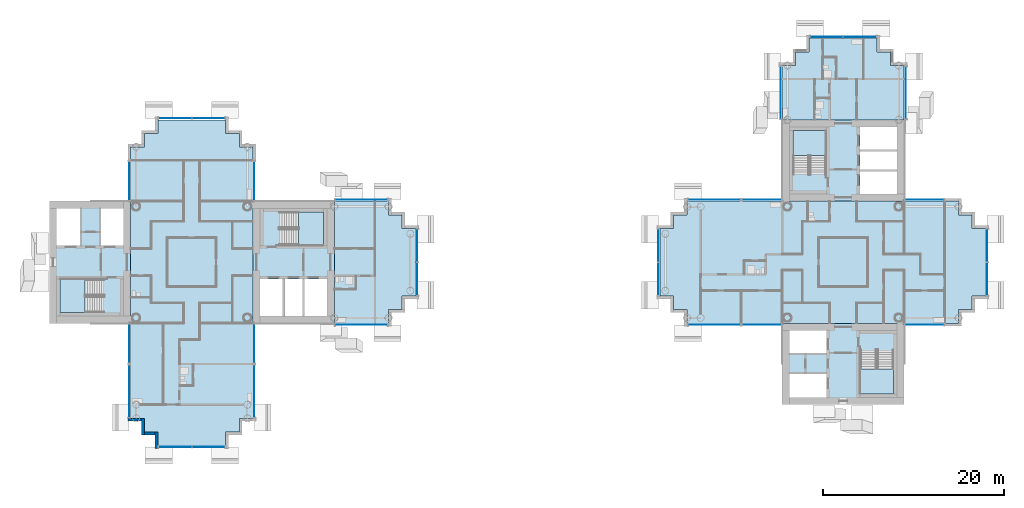
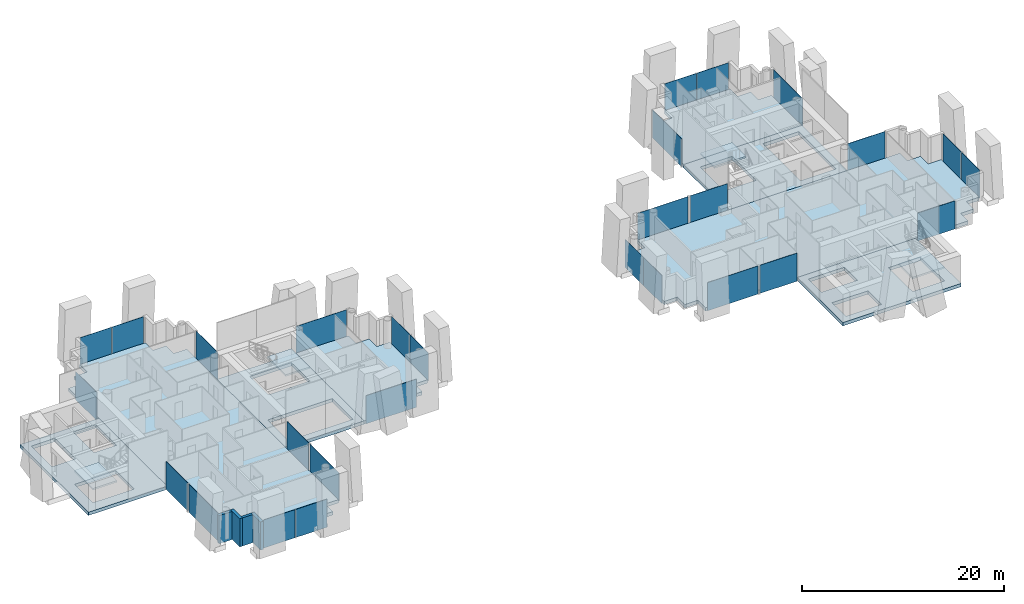
# One storey, part 5 of 18: 28 plates, 12 slabs, 4 walls, 26 elements without a shape of their own.
"""IFC4 building model written with IfcOpenShell, lengths in metres."""

from ifc_helpers import new_model, si_unit, direction, frame, frame_2d, origin, origin_2d, place, context, subcontext, project, spatial, polyline, rectangle, outline, extrude, material, layer, layer_set, type_object, element, aggregate, save


model = new_model("IFC4")

# Units and contexts
model_context = context("Model", 3, precision=1e-05, world=origin(), true_north=direction((0.0, 1.0)))
body_context = subcontext(model_context, "Body", "Model", "MODEL_VIEW")
ifc_project = project(units=[si_unit("LENGTHUNIT", "METRE"), si_unit("AREAUNIT", "SQUARE_METRE"), si_unit("VOLUMEUNIT", "CUBIC_METRE"), si_unit("PLANEANGLEUNIT", "RADIAN"), si_unit("MASSUNIT", "GRAM", prefix="KILO")], contexts=[model_context])

# Site, building, storey
site_placement = place(None, origin())
site = spatial("IfcSite", under=ifc_project, at=site_placement, CompositionType="ELEMENT")
building_placement = place(site_placement, origin())
building = spatial("IfcBuilding", under=site, at=building_placement, Name="Ipe Terrace Towers", CompositionType="ELEMENT")
storey_placement = place(building_placement, frame((0.0, 0.0, 143.89990234375)))
storey = spatial("IfcBuildingStorey", under=building, at=storey_placement, Name="L39", CompositionType="ELEMENT", Elevation=143.89990234375)

# Slabs
ifc_material_1 = material(Name="Concrete C30/37", Category="concrete")
ifc_layer_1 = layer(ifc_material_1, 0.39990234375)
ifc_layer_set_1 = layer_set([ifc_layer_1], Name="CORE FLOOR SLAB 400 C30-37")
slab_type_1 = type_object("IfcSlabType", Name="CORE FLOOR SLAB 400 C30-37", PredefinedType="FLOOR", material=ifc_layer_set_1)
slab_1_placement = place(storey_placement, frame((0.0, 0.0, -0.39990234375)))
element("IfcSlab", 1, at=slab_1_placement, inside=storey, type_object=slab_type_1, Name="Core floor T1-C1", PredefinedType="FLOOR", context=body_context, shape_type="SweptSolid", body=[
    extrude(outline(polyline([(-29.25, -6.75), (-29.25, 6.75), (-20.25, 6.75), (-20.25, -6.75), (-29.25, -6.75)]), holes=[polyline([(-28.449951171875, -5.949951171875), (-21.050048828125, -5.949951171875), (-21.050048828125, -1.85009765625), (-28.449951171875, -1.85009765625), (-28.449951171875, -5.949951171875)]), polyline([(-26.199951171875, 5.550048828125), (-26.199951171875, 1.89990234375), (-21.449951171875, 1.89990234375), (-21.449951171875, 5.550048828125), (-26.199951171875, 5.550048828125)])]), origin(), (0.0, 0.0, 1.0), 0.39990234375),
])
slab_2_placement = place(storey_placement, frame((0.0, 0.0, -0.39990234375)))
element("IfcSlab", 2, at=slab_2_placement, inside=storey, type_object=slab_type_1, Name="Core floor T1-C2", PredefinedType="FLOOR", context=body_context, shape_type="SweptSolid", body=[
    extrude(outline(polyline([(-51.75, -6.75), (-51.75, 6.75), (-42.75, 6.75), (-42.75, -6.75), (-51.75, -6.75)]), holes=[polyline([(-45.800048828125, -1.89990234375), (-50.550048828125, -1.89990234375), (-50.550048828125, -5.550048828125), (-45.800048828125, -5.550048828125), (-45.800048828125, -1.89990234375)]), polyline([(-48.25, 1.85009765625), (-48.25, 5.949951171875), (-50.949951171875, 5.949951171875), (-50.949951171875, 1.85009765625), (-48.25, 1.85009765625)]), polyline([(-43.550048828125, 1.85009765625), (-43.550048828125, 5.949951171875), (-46.14990234375, 5.949951171875), (-46.14990234375, 1.85009765625), (-43.550048828125, 1.85009765625)])]), origin(), (0.0, 0.0, 1.0), 0.39990234375),
])
slab_3_placement = place(storey_placement, frame((0.0, 0.0, -0.39990234375)))
element("IfcSlab", 3, at=slab_3_placement, inside=storey, type_object=slab_type_1, Name="Core floor T2-C1", PredefinedType="FLOOR", context=body_context, shape_type="SweptSolid", body=[
    extrude(outline(polyline([(29.25, 6.75), (29.25, 15.75), (42.75, 15.75), (42.75, 6.75), (29.25, 6.75)]), holes=[polyline([(41.949951171875, 7.550048828125), (41.949951171875, 14.949951171875), (37.85009765625, 14.949951171875), (37.85009765625, 7.550048828125), (41.949951171875, 7.550048828125)]), polyline([(30.449951171875, 9.800048828125), (34.10009765625, 9.800048828125), (34.10009765625, 14.550048828125), (30.449951171875, 14.550048828125), (30.449951171875, 9.800048828125)])]), origin(), (0.0, 0.0, 1.0), 0.39990234375),
])
slab_4_placement = place(storey_placement, frame((0.0, 0.0, -0.39990234375)))
element("IfcSlab", 4, at=slab_4_placement, inside=storey, type_object=slab_type_1, Name="Core floor T2-C2", PredefinedType="FLOOR", context=body_context, shape_type="SweptSolid", body=[
    extrude(outline(polyline([(29.25, -15.75), (29.25, -6.75), (42.75, -6.75), (42.75, -15.75), (29.25, -15.75)]), holes=[polyline([(30.050048828125, -12.25), (30.050048828125, -14.949951171875), (34.14990234375, -14.949951171875), (34.14990234375, -12.25), (30.050048828125, -12.25)]), polyline([(41.550048828125, -9.800048828125), (37.89990234375, -9.800048828125), (37.89990234375, -14.550048828125), (41.550048828125, -14.550048828125), (41.550048828125, -9.800048828125)]), polyline([(34.14990234375, -7.550048828125), (30.050048828125, -7.550048828125), (30.050048828125, -10.14990234375), (34.14990234375, -10.14990234375), (34.14990234375, -7.550048828125)])]), origin(), (0.0, 0.0, 1.0), 0.39990234375),
])

# Stair, slab
ifc_material_2 = material(Name="Concrete C30/37", Category="concrete")
stair_type = type_object("IfcStairType", Name="Protected exit stair", PredefinedType="HALF_TURN_STAIR", material=ifc_material_2)
stair_1_placement = place(storey_placement, origin())
stair_1 = element("IfcStair", 5, at=stair_1_placement, inside=storey, type_object=stair_type, Name="L39 Exit stair T1-C1", PredefinedType="HALF_TURN_STAIR")
ifc_material_3 = material(Name="Concrete C30/37", Category="concrete")
ifc_layer_2 = layer(ifc_material_3, 0.199951171875)
ifc_layer_set_2 = layer_set([ifc_layer_2], Name="Exit stair landing 200")
slab_type_2 = type_object("IfcSlabType", Name="Exit stair landing 200", PredefinedType="LANDING", material=ifc_layer_set_2)
slab_5_placement = place(storey_placement, frame((0.0, 0.0, 1.5)))
slab_5 = element("IfcSlab", 6, at=slab_5_placement, type_object=slab_type_2, Name="T1-ST1 landing 1", PredefinedType="LANDING", context=body_context, shape_type="SweptSolid", body=[
    extrude(outline(polyline([(-24.219970703125, 1.89990234375), (-21.449951171875, 1.89990234375), (-21.449951171875, 5.550048828125), (-24.219970703125, 5.550048828125), (-24.219970703125, 1.89990234375)])), origin(), (0.0, 0.0, 1.0), 0.2001953125),
])
aggregate(stair_1, [slab_5])

stair_2_placement = place(storey_placement, origin())
stair_2 = element("IfcStair", 7, at=stair_2_placement, inside=storey, type_object=stair_type, Name="L39 Exit stair T1-C2", PredefinedType="HALF_TURN_STAIR")
slab_6_placement = place(storey_placement, frame((0.0, 0.0, 1.5)))
slab_6 = element("IfcSlab", 8, at=slab_6_placement, type_object=slab_type_2, Name="T1-ST2 landing 1", PredefinedType="LANDING", context=body_context, shape_type="SweptSolid", body=[
    extrude(outline(polyline([(-47.780029296875, -1.89990234375), (-50.550048828125, -1.89990234375), (-50.550048828125, -5.550048828125), (-47.780029296875, -5.550048828125), (-47.780029296875, -1.89990234375)])), origin(), (0.0, 0.0, 1.0), 0.2001953125),
])
aggregate(stair_2, [slab_6])

stair_3_placement = place(storey_placement, origin())
stair_3 = element("IfcStair", 9, at=stair_3_placement, inside=storey, type_object=stair_type, Name="L39 Exit stair T2-C1", PredefinedType="HALF_TURN_STAIR")
slab_7_placement = place(storey_placement, frame((0.0, 0.0, 1.5)))
slab_7 = element("IfcSlab", 10, at=slab_7_placement, type_object=slab_type_2, Name="T2-ST1 landing 1", PredefinedType="LANDING", context=body_context, shape_type="SweptSolid", body=[
    extrude(outline(polyline([(34.10009765625, 11.780029296875), (34.10009765625, 14.550048828125), (30.449951171875, 14.550048828125), (30.449951171875, 11.780029296875), (34.10009765625, 11.780029296875)])), origin(), (0.0, 0.0, 1.0), 0.2001953125),
])
aggregate(stair_3, [slab_7])

stair_4_placement = place(storey_placement, origin())
stair_4 = element("IfcStair", 11, at=stair_4_placement, inside=storey, type_object=stair_type, Name="L39 Exit stair T2-C2", PredefinedType="HALF_TURN_STAIR")
slab_8_placement = place(storey_placement, frame((0.0, 0.0, 1.5)))
slab_8 = element("IfcSlab", 12, at=slab_8_placement, type_object=slab_type_2, Name="T2-ST2 landing 1", PredefinedType="LANDING", context=body_context, shape_type="SweptSolid", body=[
    extrude(outline(polyline([(37.89990234375, -11.780029296875), (37.89990234375, -14.550048828125), (41.550048828125, -14.550048828125), (41.550048828125, -11.780029296875), (37.89990234375, -11.780029296875)])), origin(), (0.0, 0.0, 1.0), 0.2001953125),
])
aggregate(stair_4, [slab_8])

# Slabs
ifc_material_4 = material(Name="Concrete C40/50", Category="concrete")
ifc_layer_3 = layer(ifc_material_4, 0.39990234375)
ifc_layer_set_3 = layer_set([ifc_layer_3], Name="FLAT PLATE SLAB 400 C40-50")
slab_type_3 = type_object("IfcSlabType", Name="FLAT PLATE SLAB 400 C40-50", PredefinedType="FLOOR", material=ifc_layer_set_3)
slab_9_placement = place(storey_placement, frame((0.0, 0.0, -0.39990234375)))
element("IfcSlab", 13, at=slab_9_placement, inside=storey, type_object=slab_type_3, Name="Slab T1-FS-Z31", PredefinedType="FLOOR", context=body_context, shape_type="SweptSolid", body=[
    extrude(outline(polyline([(-30.75, -17.25), (-30.75, -18.75), (-32.25, -18.75), (-32.25, -20.25), (-39.75, -20.25), (-39.75, -18.75), (-41.25, -18.75), (-41.25, -17.25), (-42.75, -17.25), (-42.75, -6.75), (-42.75, 6.75), (-42.75, 12.75), (-41.25, 12.75), (-41.25, 14.25), (-39.75, 14.25), (-39.75, 15.75), (-32.25, 15.75), (-32.25, 14.25), (-30.75, 14.25), (-30.75, 12.75), (-29.25, 12.75), (-29.25, 6.75), (-29.25, -6.75), (-29.25, -17.25), (-30.75, -17.25)])), origin(), (0.0, 0.0, 1.0), 0.39990234375),
])
slab_10_placement = place(storey_placement, frame((0.0, 0.0, -0.39990234375)))
element("IfcSlab", 14, at=slab_10_placement, inside=storey, type_object=slab_type_3, Name="Slab T1-FS-Z32", PredefinedType="FLOOR", context=body_context, shape_type="SweptSolid", body=[
    extrude(outline(polyline([(-14.25, 5.25), (-12.75, 5.25), (-12.75, 3.75), (-11.25, 3.75), (-11.25, -3.75), (-12.75, -3.75), (-12.75, -5.25), (-14.25, -5.25), (-14.25, -6.75), (-20.25, -6.75), (-20.25, 6.75), (-14.25, 6.75), (-14.25, 5.25)])), origin(), (0.0, 0.0, 1.0), 0.39990234375),
])
slab_11_placement = place(storey_placement, frame((0.0, 0.0, -0.39990234375)))
element("IfcSlab", 15, at=slab_11_placement, inside=storey, type_object=slab_type_3, Name="Slab T2-FS-Z31", PredefinedType="FLOOR", context=body_context, shape_type="SweptSolid", body=[
    extrude(outline(polyline([(48.75, 5.25), (50.25, 5.25), (50.25, 3.75), (51.75, 3.75), (51.75, -3.75), (50.25, -3.75), (50.25, -5.25), (48.75, -5.25), (48.75, -6.75), (42.75, -6.75), (29.25, -6.75), (18.75, -6.75), (18.75, -5.25), (17.25, -5.25), (17.25, -3.75), (15.75, -3.75), (15.75, 3.75), (17.25, 3.75), (17.25, 5.25), (18.75, 5.25), (18.75, 6.75), (29.25, 6.75), (42.75, 6.75), (48.75, 6.75), (48.75, 5.25)])), origin(), (0.0, 0.0, 1.0), 0.39990234375),
])
slab_12_placement = place(storey_placement, frame((0.0, 0.0, -0.39990234375)))
element("IfcSlab", 16, at=slab_12_placement, inside=storey, type_object=slab_type_3, Name="Slab T2-FS-Z32", PredefinedType="FLOOR", context=body_context, shape_type="SweptSolid", body=[
    extrude(outline(polyline([(30.75, 21.75), (30.75, 23.25), (32.25, 23.25), (32.25, 24.75), (39.75, 24.75), (39.75, 23.25), (41.25, 23.25), (41.25, 21.75), (42.75, 21.75), (42.75, 15.75), (29.25, 15.75), (29.25, 21.75), (30.75, 21.75)])), origin(), (0.0, 0.0, 1.0), 0.39990234375),
])

# Curtain wall, plate
ifc_material_5 = material(Name="Aluminium alloy 6063-T6", Category="aluminium")
ifc_layer_4 = layer(ifc_material_5, 0.320068359375)
ifc_layer_set_4 = layer_set([ifc_layer_4], Name="TOWER UNITISED CURTAIN WALL")
curtain_wall_type = type_object("IfcCurtainWallType", Name="TOWER UNITISED CURTAIN WALL", PredefinedType="NOTDEFINED", material=ifc_layer_set_4)
curtain_wall_1_placement = place(storey_placement, origin())
curtain_wall_1 = element("IfcCurtainWall", 17, at=curtain_wall_1_placement, inside=storey, type_object=curtain_wall_type, Name="T1-CW-L39-02a curtain wall", PredefinedType="NOTDEFINED")
ifc_material_6 = material(Name="Glass, clear laminated", Category="glass")
ifc_layer_5 = layer(ifc_material_6, 0.031982421875)
ifc_layer_set_5 = layer_set([ifc_layer_5], Name="TOWER UNITISED GLASS PANEL 32")
plate_type = type_object("IfcPlateType", Name="TOWER UNITISED GLASS PANEL 32", PredefinedType="CURTAIN_PANEL", material=ifc_layer_set_5)
plate_1_placement = place(storey_placement, frame((-42.909912109375, -9.0, -0.2998046875), z_axis=(0.0, 0.0, 1.0), x_axis=(0.0, -1.0, 0.0)))
plate_1 = element("IfcPlate", 18, at=plate_1_placement, type_object=plate_type, Name="T1-CW-L39-02a panel 1", PredefinedType="CURTAIN_PANEL", context=body_context, shape_type="SweptSolid", body=[
    extrude(rectangle(XDim=4.260009765625, YDim=0.031982421875, at=origin_2d()), origin(), (0.0, 0.0, 1.0), 3.39990234375),
])
aggregate(curtain_wall_1, [plate_1])

curtain_wall_2_placement = place(storey_placement, origin())
curtain_wall_2 = element("IfcCurtainWall", 19, at=curtain_wall_2_placement, inside=storey, type_object=curtain_wall_type, Name="T1-CW-L39-03a curtain wall", PredefinedType="NOTDEFINED")
plate_2_placement = place(storey_placement, frame((-42.909912109375, -14.25, -0.2998046875), z_axis=(0.0, 0.0, 1.0), x_axis=(0.0, -1.0, 0.0)))
plate_2 = element("IfcPlate", 20, at=plate_2_placement, type_object=plate_type, Name="T1-CW-L39-03a panel 1", PredefinedType="CURTAIN_PANEL", context=body_context, shape_type="SweptSolid", body=[
    extrude(rectangle(XDim=5.760009765625, YDim=0.031982421875, at=origin_2d()), origin(), (0.0, 0.0, 1.0), 3.39990234375),
])
aggregate(curtain_wall_2, [plate_2])

# Curtain wall, plates
curtain_wall_3_placement = place(storey_placement, origin())
curtain_wall_3 = element("IfcCurtainWall", 21, at=curtain_wall_3_placement, inside=storey, type_object=curtain_wall_type, Name="T1-CW-L39-08a curtain wall", PredefinedType="NOTDEFINED")
plate_3_placement = place(storey_placement, frame((-37.831298828125, -20.409912109375, -0.2998046875), z_axis=(0.0, 0.0, 1.0), x_axis=(1.0, 0.0, 0.0)))
plate_3 = element("IfcPlate", 22, at=plate_3_placement, type_object=plate_type, Name="T1-CW-L39-08a panel 1", PredefinedType="CURTAIN_PANEL", context=body_context, shape_type="SweptSolid", body=[
    extrude(rectangle(XDim=3.597412109375, YDim=0.031982421875, at=origin_2d()), origin(), (0.0, 0.0, 1.0), 3.39990234375),
])
plate_4_placement = place(storey_placement, frame((-34.168701171875, -20.409912109375, -0.2998046875), z_axis=(0.0, 0.0, 1.0), x_axis=(1.0, 0.0, 0.0)))
plate_4 = element("IfcPlate", 23, at=plate_4_placement, type_object=plate_type, Name="T1-CW-L39-08a panel 2", PredefinedType="CURTAIN_PANEL", context=body_context, shape_type="SweptSolid", body=[
    extrude(rectangle(XDim=3.597412109375, YDim=0.031982421875, at=origin_2d()), origin(), (0.0, 0.0, 1.0), 3.39990234375),
])
aggregate(curtain_wall_3, [plate_3, plate_4])

# Curtain wall, plate
curtain_wall_4_placement = place(storey_placement, origin())
curtain_wall_4 = element("IfcCurtainWall", 24, at=curtain_wall_4_placement, inside=storey, type_object=curtain_wall_type, Name="T1-CW-L39-13a curtain wall", PredefinedType="NOTDEFINED")
plate_5_placement = place(storey_placement, frame((-29.090087890625, -14.25, -0.2998046875), z_axis=(0.0, 0.0, 1.0), x_axis=(0.0, 1.0, 0.0)))
plate_5 = element("IfcPlate", 25, at=plate_5_placement, type_object=plate_type, Name="T1-CW-L39-13a panel 1", PredefinedType="CURTAIN_PANEL", context=body_context, shape_type="SweptSolid", body=[
    extrude(rectangle(XDim=5.760009765625, YDim=0.031982421875, at=origin_2d()), origin(), (0.0, 0.0, 1.0), 3.39990234375),
])
aggregate(curtain_wall_4, [plate_5])

curtain_wall_5_placement = place(storey_placement, origin())
curtain_wall_5 = element("IfcCurtainWall", 26, at=curtain_wall_5_placement, inside=storey, type_object=curtain_wall_type, Name="T1-CW-L39-14a curtain wall", PredefinedType="NOTDEFINED")
plate_6_placement = place(storey_placement, frame((-29.090087890625, -9.0, -0.2998046875), z_axis=(0.0, 0.0, 1.0), x_axis=(0.0, 1.0, 0.0)))
plate_6 = element("IfcPlate", 27, at=plate_6_placement, type_object=plate_type, Name="T1-CW-L39-14a panel 1", PredefinedType="CURTAIN_PANEL", context=body_context, shape_type="SweptSolid", body=[
    extrude(rectangle(XDim=4.260009765625, YDim=0.031982421875, at=origin_2d()), origin(), (0.0, 0.0, 1.0), 3.39990234375),
])
aggregate(curtain_wall_5, [plate_6])

curtain_wall_6_placement = place(storey_placement, origin())
curtain_wall_6 = element("IfcCurtainWall", 28, at=curtain_wall_6_placement, inside=storey, type_object=curtain_wall_type, Name="T1-CW-L39-16b curtain wall", PredefinedType="NOTDEFINED")
plate_7_placement = place(storey_placement, frame((-17.24951171875, -6.909912109375, -0.2998046875), z_axis=(0.0, 0.0, 1.0), x_axis=(1.0, 0.0, 0.0)))
plate_7 = element("IfcPlate", 29, at=plate_7_placement, type_object=plate_type, Name="T1-CW-L39-16b panel 1", PredefinedType="CURTAIN_PANEL", context=body_context, shape_type="SweptSolid", body=[
    extrude(rectangle(XDim=5.759033203125, YDim=0.031982421875, at=origin_2d()), origin(), (0.0, 0.0, 1.0), 3.39990234375),
])
aggregate(curtain_wall_6, [plate_7])

# Curtain wall, plates
curtain_wall_7_placement = place(storey_placement, origin())
curtain_wall_7 = element("IfcCurtainWall", 30, at=curtain_wall_7_placement, inside=storey, type_object=curtain_wall_type, Name="T1-CW-L39-21a curtain wall", PredefinedType="NOTDEFINED")
plate_8_placement = place(storey_placement, frame((-11.090087890625, -1.831298828125, -0.2998046875), z_axis=(0.0, 0.0, 1.0), x_axis=(0.0, 1.0, 0.0)))
plate_8 = element("IfcPlate", 31, at=plate_8_placement, type_object=plate_type, Name="T1-CW-L39-21a panel 1", PredefinedType="CURTAIN_PANEL", context=body_context, shape_type="SweptSolid", body=[
    extrude(rectangle(XDim=3.597412109375, YDim=0.031982421875, at=origin_2d()), origin(), (0.0, 0.0, 1.0), 3.39990234375),
])
plate_9_placement = place(storey_placement, frame((-11.090087890625, 1.831298828125, -0.2998046875), z_axis=(0.0, 0.0, 1.0), x_axis=(0.0, 1.0, 0.0)))
plate_9 = element("IfcPlate", 32, at=plate_9_placement, type_object=plate_type, Name="T1-CW-L39-21a panel 2", PredefinedType="CURTAIN_PANEL", context=body_context, shape_type="SweptSolid", body=[
    extrude(rectangle(XDim=3.597412109375, YDim=0.031982421875, at=origin_2d()), origin(), (0.0, 0.0, 1.0), 3.39990234375),
])
aggregate(curtain_wall_7, [plate_8, plate_9])

# Curtain wall, plate
curtain_wall_8_placement = place(storey_placement, origin())
curtain_wall_8 = element("IfcCurtainWall", 33, at=curtain_wall_8_placement, inside=storey, type_object=curtain_wall_type, Name="T1-CW-L39-26a curtain wall", PredefinedType="NOTDEFINED")
plate_10_placement = place(storey_placement, frame((-17.24951171875, 6.909912109375, -0.2998046875), z_axis=(0.0, 0.0, 1.0), x_axis=(-1.0, 0.0, 0.0)))
plate_10 = element("IfcPlate", 34, at=plate_10_placement, type_object=plate_type, Name="T1-CW-L39-26a panel 1", PredefinedType="CURTAIN_PANEL", context=body_context, shape_type="SweptSolid", body=[
    extrude(rectangle(XDim=5.759033203125, YDim=0.031982421875, at=origin_2d()), origin(), (0.0, 0.0, 1.0), 3.39990234375),
])
aggregate(curtain_wall_8, [plate_10])

curtain_wall_9_placement = place(storey_placement, origin())
curtain_wall_9 = element("IfcCurtainWall", 35, at=curtain_wall_9_placement, inside=storey, type_object=curtain_wall_type, Name="T1-CW-L39-28a curtain wall", PredefinedType="NOTDEFINED")
plate_11_placement = place(storey_placement, frame((-29.090087890625, 9.0, -0.2998046875), z_axis=(0.0, 0.0, 1.0), x_axis=(0.0, 1.0, 0.0)))
plate_11 = element("IfcPlate", 36, at=plate_11_placement, type_object=plate_type, Name="T1-CW-L39-28a panel 1", PredefinedType="CURTAIN_PANEL", context=body_context, shape_type="SweptSolid", body=[
    extrude(rectangle(XDim=4.260009765625, YDim=0.031982421875, at=origin_2d()), origin(), (0.0, 0.0, 1.0), 3.39990234375),
])
aggregate(curtain_wall_9, [plate_11])

# Curtain wall, plates
curtain_wall_10_placement = place(storey_placement, origin())
curtain_wall_10 = element("IfcCurtainWall", 37, at=curtain_wall_10_placement, inside=storey, type_object=curtain_wall_type, Name="T1-CW-L39-34a curtain wall", PredefinedType="NOTDEFINED")
plate_12_placement = place(storey_placement, frame((-34.168701171875, 15.909912109375, -0.2998046875), z_axis=(0.0, 0.0, 1.0), x_axis=(-1.0, 0.0, 0.0)))
plate_12 = element("IfcPlate", 38, at=plate_12_placement, type_object=plate_type, Name="T1-CW-L39-34a panel 1", PredefinedType="CURTAIN_PANEL", context=body_context, shape_type="SweptSolid", body=[
    extrude(rectangle(XDim=3.597412109375, YDim=0.031982421875, at=origin_2d()), origin(), (0.0, 0.0, 1.0), 3.39990234375),
])
plate_13_placement = place(storey_placement, frame((-37.831298828125, 15.909912109375, -0.2998046875), z_axis=(0.0, 0.0, 1.0), x_axis=(-1.0, 0.0, 0.0)))
plate_13 = element("IfcPlate", 39, at=plate_13_placement, type_object=plate_type, Name="T1-CW-L39-34a panel 2", PredefinedType="CURTAIN_PANEL", context=body_context, shape_type="SweptSolid", body=[
    extrude(rectangle(XDim=3.597412109375, YDim=0.031982421875, at=origin_2d()), origin(), (0.0, 0.0, 1.0), 3.39990234375),
])
aggregate(curtain_wall_10, [plate_12, plate_13])

# Curtain wall, plate
curtain_wall_11_placement = place(storey_placement, origin())
curtain_wall_11 = element("IfcCurtainWall", 40, at=curtain_wall_11_placement, inside=storey, type_object=curtain_wall_type, Name="T1-CW-L39-40a curtain wall", PredefinedType="NOTDEFINED")
plate_14_placement = place(storey_placement, frame((-42.909912109375, 9.0, -0.2998046875), z_axis=(0.0, 0.0, 1.0), x_axis=(0.0, -1.0, 0.0)))
plate_14 = element("IfcPlate", 41, at=plate_14_placement, type_object=plate_type, Name="T1-CW-L39-40a panel 1", PredefinedType="CURTAIN_PANEL", context=body_context, shape_type="SweptSolid", body=[
    extrude(rectangle(XDim=4.260009765625, YDim=0.031982421875, at=origin_2d()), origin(), (0.0, 0.0, 1.0), 3.39990234375),
])
aggregate(curtain_wall_11, [plate_14])

curtain_wall_12_placement = place(storey_placement, origin())
curtain_wall_12 = element("IfcCurtainWall", 42, at=curtain_wall_12_placement, inside=storey, type_object=curtain_wall_type, Name="T2-CW-L39-02a curtain wall", PredefinedType="NOTDEFINED")
plate_15_placement = place(storey_placement, frame((45.0, -6.909912109375, -0.2998046875), z_axis=(0.0, 0.0, 1.0), x_axis=(1.0, 0.0, 0.0)))
plate_15 = element("IfcPlate", 43, at=plate_15_placement, type_object=plate_type, Name="T2-CW-L39-02a panel 1", PredefinedType="CURTAIN_PANEL", context=body_context, shape_type="SweptSolid", body=[
    extrude(rectangle(XDim=4.260009765625, YDim=0.031982421875, at=origin_2d()), origin(), (0.0, 0.0, 1.0), 3.39990234375),
])
aggregate(curtain_wall_12, [plate_15])

# Curtain wall, plates
curtain_wall_13_placement = place(storey_placement, origin())
curtain_wall_13 = element("IfcCurtainWall", 44, at=curtain_wall_13_placement, inside=storey, type_object=curtain_wall_type, Name="T2-CW-L39-08a curtain wall", PredefinedType="NOTDEFINED")
plate_16_placement = place(storey_placement, frame((51.909912109375, -1.831298828125, -0.2998046875), z_axis=(0.0, 0.0, 1.0), x_axis=(0.0, 1.0, 0.0)))
plate_16 = element("IfcPlate", 45, at=plate_16_placement, type_object=plate_type, Name="T2-CW-L39-08a panel 1", PredefinedType="CURTAIN_PANEL", context=body_context, shape_type="SweptSolid", body=[
    extrude(rectangle(XDim=3.597412109375, YDim=0.031982421875, at=origin_2d()), origin(), (0.0, 0.0, 1.0), 3.39990234375),
])
plate_17_placement = place(storey_placement, frame((51.909912109375, 1.831298828125, -0.2998046875), z_axis=(0.0, 0.0, 1.0), x_axis=(0.0, 1.0, 0.0)))
plate_17 = element("IfcPlate", 46, at=plate_17_placement, type_object=plate_type, Name="T2-CW-L39-08a panel 2", PredefinedType="CURTAIN_PANEL", context=body_context, shape_type="SweptSolid", body=[
    extrude(rectangle(XDim=3.597412109375, YDim=0.031982421875, at=origin_2d()), origin(), (0.0, 0.0, 1.0), 3.39990234375),
])
aggregate(curtain_wall_13, [plate_16, plate_17])

# Curtain wall, plate
curtain_wall_14_placement = place(storey_placement, origin())
curtain_wall_14 = element("IfcCurtainWall", 47, at=curtain_wall_14_placement, inside=storey, type_object=curtain_wall_type, Name="T2-CW-L39-14a curtain wall", PredefinedType="NOTDEFINED")
plate_18_placement = place(storey_placement, frame((45.0, 6.909912109375, -0.2998046875), z_axis=(0.0, 0.0, 1.0), x_axis=(-1.0, 0.0, 0.0)))
plate_18 = element("IfcPlate", 48, at=plate_18_placement, type_object=plate_type, Name="T2-CW-L39-14a panel 1", PredefinedType="CURTAIN_PANEL", context=body_context, shape_type="SweptSolid", body=[
    extrude(rectangle(XDim=4.260009765625, YDim=0.031982421875, at=origin_2d()), origin(), (0.0, 0.0, 1.0), 3.39990234375),
])
aggregate(curtain_wall_14, [plate_18])

curtain_wall_15_placement = place(storey_placement, origin())
curtain_wall_15 = element("IfcCurtainWall", 49, at=curtain_wall_15_placement, inside=storey, type_object=curtain_wall_type, Name="T2-CW-L39-16b curtain wall", PredefinedType="NOTDEFINED")
plate_19_placement = place(storey_placement, frame((42.909912109375, 18.75048828125, -0.2998046875), z_axis=(0.0, 0.0, 1.0), x_axis=(0.0, 1.0, 0.0)))
plate_19 = element("IfcPlate", 50, at=plate_19_placement, type_object=plate_type, Name="T2-CW-L39-16b panel 1", PredefinedType="CURTAIN_PANEL", context=body_context, shape_type="SweptSolid", body=[
    extrude(rectangle(XDim=5.759033203125, YDim=0.031982421875, at=origin_2d()), origin(), (0.0, 0.0, 1.0), 3.39990234375),
])
aggregate(curtain_wall_15, [plate_19])

# Curtain wall, plates
curtain_wall_16_placement = place(storey_placement, origin())
curtain_wall_16 = element("IfcCurtainWall", 51, at=curtain_wall_16_placement, inside=storey, type_object=curtain_wall_type, Name="T2-CW-L39-21a curtain wall", PredefinedType="NOTDEFINED")
plate_20_placement = place(storey_placement, frame((37.831298828125, 24.909912109375, -0.2998046875), z_axis=(0.0, 0.0, 1.0), x_axis=(-1.0, 0.0, 0.0)))
plate_20 = element("IfcPlate", 52, at=plate_20_placement, type_object=plate_type, Name="T2-CW-L39-21a panel 1", PredefinedType="CURTAIN_PANEL", context=body_context, shape_type="SweptSolid", body=[
    extrude(rectangle(XDim=3.597412109375, YDim=0.031982421875, at=origin_2d()), origin(), (0.0, 0.0, 1.0), 3.39990234375),
])
plate_21_placement = place(storey_placement, frame((34.168701171875, 24.909912109375, -0.2998046875), z_axis=(0.0, 0.0, 1.0), x_axis=(-1.0, 0.0, 0.0)))
plate_21 = element("IfcPlate", 53, at=plate_21_placement, type_object=plate_type, Name="T2-CW-L39-21a panel 2", PredefinedType="CURTAIN_PANEL", context=body_context, shape_type="SweptSolid", body=[
    extrude(rectangle(XDim=3.597412109375, YDim=0.031982421875, at=origin_2d()), origin(), (0.0, 0.0, 1.0), 3.39990234375),
])
aggregate(curtain_wall_16, [plate_20, plate_21])

# Curtain wall, plate
curtain_wall_17_placement = place(storey_placement, origin())
curtain_wall_17 = element("IfcCurtainWall", 54, at=curtain_wall_17_placement, inside=storey, type_object=curtain_wall_type, Name="T2-CW-L39-26a curtain wall", PredefinedType="NOTDEFINED")
plate_22_placement = place(storey_placement, frame((29.090087890625, 18.75048828125, -0.2998046875), z_axis=(0.0, 0.0, 1.0), x_axis=(0.0, -1.0, 0.0)))
plate_22 = element("IfcPlate", 55, at=plate_22_placement, type_object=plate_type, Name="T2-CW-L39-26a panel 1", PredefinedType="CURTAIN_PANEL", context=body_context, shape_type="SweptSolid", body=[
    extrude(rectangle(XDim=5.759033203125, YDim=0.031982421875, at=origin_2d()), origin(), (0.0, 0.0, 1.0), 3.39990234375),
])
aggregate(curtain_wall_17, [plate_22])

curtain_wall_18_placement = place(storey_placement, origin())
curtain_wall_18 = element("IfcCurtainWall", 56, at=curtain_wall_18_placement, inside=storey, type_object=curtain_wall_type, Name="T2-CW-L39-28a curtain wall", PredefinedType="NOTDEFINED")
plate_23_placement = place(storey_placement, frame((27.0, 6.909912109375, -0.2998046875), z_axis=(0.0, 0.0, 1.0), x_axis=(-1.0, 0.0, 0.0)))
plate_23 = element("IfcPlate", 57, at=plate_23_placement, type_object=plate_type, Name="T2-CW-L39-28a panel 1", PredefinedType="CURTAIN_PANEL", context=body_context, shape_type="SweptSolid", body=[
    extrude(rectangle(XDim=4.260009765625, YDim=0.031982421875, at=origin_2d()), origin(), (0.0, 0.0, 1.0), 3.39990234375),
])
aggregate(curtain_wall_18, [plate_23])

curtain_wall_19_placement = place(storey_placement, origin())
curtain_wall_19 = element("IfcCurtainWall", 58, at=curtain_wall_19_placement, inside=storey, type_object=curtain_wall_type, Name="T2-CW-L39-29a curtain wall", PredefinedType="NOTDEFINED")
plate_24_placement = place(storey_placement, frame((21.75, 6.909912109375, -0.2998046875), z_axis=(0.0, 0.0, 1.0), x_axis=(-1.0, 0.0, 0.0)))
plate_24 = element("IfcPlate", 59, at=plate_24_placement, type_object=plate_type, Name="T2-CW-L39-29a panel 1", PredefinedType="CURTAIN_PANEL", context=body_context, shape_type="SweptSolid", body=[
    extrude(rectangle(XDim=5.760009765625, YDim=0.031982421875, at=origin_2d()), origin(), (0.0, 0.0, 1.0), 3.39990234375),
])
aggregate(curtain_wall_19, [plate_24])

# Curtain wall, plates
curtain_wall_20_placement = place(storey_placement, origin())
curtain_wall_20 = element("IfcCurtainWall", 60, at=curtain_wall_20_placement, inside=storey, type_object=curtain_wall_type, Name="T2-CW-L39-34a curtain wall", PredefinedType="NOTDEFINED")
plate_25_placement = place(storey_placement, frame((15.590087890625, 1.831298828125, -0.2998046875), z_axis=(0.0, 0.0, 1.0), x_axis=(0.0, -1.0, 0.0)))
plate_25 = element("IfcPlate", 61, at=plate_25_placement, type_object=plate_type, Name="T2-CW-L39-34a panel 1", PredefinedType="CURTAIN_PANEL", context=body_context, shape_type="SweptSolid", body=[
    extrude(rectangle(XDim=3.597412109375, YDim=0.031982421875, at=origin_2d()), origin(), (0.0, 0.0, 1.0), 3.39990234375),
])
plate_26_placement = place(storey_placement, frame((15.590087890625, -1.831298828125, -0.2998046875), z_axis=(0.0, 0.0, 1.0), x_axis=(0.0, -1.0, 0.0)))
plate_26 = element("IfcPlate", 62, at=plate_26_placement, type_object=plate_type, Name="T2-CW-L39-34a panel 2", PredefinedType="CURTAIN_PANEL", context=body_context, shape_type="SweptSolid", body=[
    extrude(rectangle(XDim=3.597412109375, YDim=0.031982421875, at=origin_2d()), origin(), (0.0, 0.0, 1.0), 3.39990234375),
])
aggregate(curtain_wall_20, [plate_25, plate_26])

# Curtain wall, plate
curtain_wall_21_placement = place(storey_placement, origin())
curtain_wall_21 = element("IfcCurtainWall", 63, at=curtain_wall_21_placement, inside=storey, type_object=curtain_wall_type, Name="T2-CW-L39-39a curtain wall", PredefinedType="NOTDEFINED")
plate_27_placement = place(storey_placement, frame((21.75, -6.909912109375, -0.2998046875), z_axis=(0.0, 0.0, 1.0), x_axis=(1.0, 0.0, 0.0)))
plate_27 = element("IfcPlate", 64, at=plate_27_placement, type_object=plate_type, Name="T2-CW-L39-39a panel 1", PredefinedType="CURTAIN_PANEL", context=body_context, shape_type="SweptSolid", body=[
    extrude(rectangle(XDim=5.760009765625, YDim=0.031982421875, at=origin_2d()), origin(), (0.0, 0.0, 1.0), 3.39990234375),
])
aggregate(curtain_wall_21, [plate_27])

curtain_wall_22_placement = place(storey_placement, origin())
curtain_wall_22 = element("IfcCurtainWall", 65, at=curtain_wall_22_placement, inside=storey, type_object=curtain_wall_type, Name="T2-CW-L39-40a curtain wall", PredefinedType="NOTDEFINED")
plate_28_placement = place(storey_placement, frame((27.0, -6.909912109375, -0.2998046875), z_axis=(0.0, 0.0, 1.0), x_axis=(1.0, 0.0, 0.0)))
plate_28 = element("IfcPlate", 66, at=plate_28_placement, type_object=plate_type, Name="T2-CW-L39-40a panel 1", PredefinedType="CURTAIN_PANEL", context=body_context, shape_type="SweptSolid", body=[
    extrude(rectangle(XDim=4.260009765625, YDim=0.031982421875, at=origin_2d()), origin(), (0.0, 0.0, 1.0), 3.39990234375),
])
aggregate(curtain_wall_22, [plate_28])

# Walls
ifc_material_7 = material(Name="Concrete C40/50 with buff precast cladding", Category="concrete")
ifc_layer_6 = layer(ifc_material_7, 0.320068359375)
ifc_layer_set_6 = layer_set([ifc_layer_6], Name="BUFF CLADDING WALL 320")
wall_type = type_object("IfcWallType", Name="BUFF CLADDING WALL 320", PredefinedType="STANDARD", material=ifc_layer_set_6)
wall_1_placement = place(storey_placement, frame((-43.070068359375, -17.409912109375, -0.2998046875), z_axis=(0.0, 0.0, 1.0), x_axis=(1.0, 0.0, 0.0)))
element("IfcWall", 67, at=wall_1_placement, inside=storey, type_object=wall_type, Name="T1-W-L39-04a wall", PredefinedType="STANDARD", context=body_context, shape_type="SweptSolid", body=[
    extrude(rectangle(XDim=1.5, YDim=0.320068359375, at=frame_2d((0.75, 0.0))), origin(), (0.0, 0.0, 1.0), 3.39990234375),
])
wall_2_placement = place(storey_placement, frame((-41.409912109375, -17.25, -0.2998046875), z_axis=(0.0, 0.0, 1.0), x_axis=(0.0, -1.0, 0.0)))
element("IfcWall", 68, at=wall_2_placement, inside=storey, type_object=wall_type, Name="T1-W-L39-05a wall", PredefinedType="STANDARD", context=body_context, shape_type="SweptSolid", body=[
    extrude(rectangle(XDim=1.820068359375, YDim=0.320068359375, at=frame_2d((0.91015625, 0.0))), origin(), (0.0, 0.0, 1.0), 3.39990234375),
])
wall_3_placement = place(storey_placement, frame((-41.25, -18.909912109375, -0.2998046875), z_axis=(0.0, 0.0, 1.0), x_axis=(1.0, 0.0, 0.0)))
element("IfcWall", 69, at=wall_3_placement, inside=storey, type_object=wall_type, Name="T1-W-L39-06a wall", PredefinedType="STANDARD", context=body_context, shape_type="SweptSolid", body=[
    extrude(rectangle(XDim=1.179931640625, YDim=0.320068359375, at=frame_2d((0.58984375, 0.0))), origin(), (0.0, 0.0, 1.0), 3.39990234375),
])
wall_4_placement = place(storey_placement, frame((-39.909912109375, -18.75, -0.2998046875), z_axis=(0.0, 0.0, 1.0), x_axis=(0.0, -1.0, 0.0)))
element("IfcWall", 70, at=wall_4_placement, inside=storey, type_object=wall_type, Name="T1-W-L39-07a wall", PredefinedType="STANDARD", context=body_context, shape_type="SweptSolid", body=[
    extrude(rectangle(XDim=1.820068359375, YDim=0.320068359375, at=frame_2d((0.91015625, 0.0))), origin(), (0.0, 0.0, 1.0), 3.39990234375),
])

save(model, "model.ifc")
